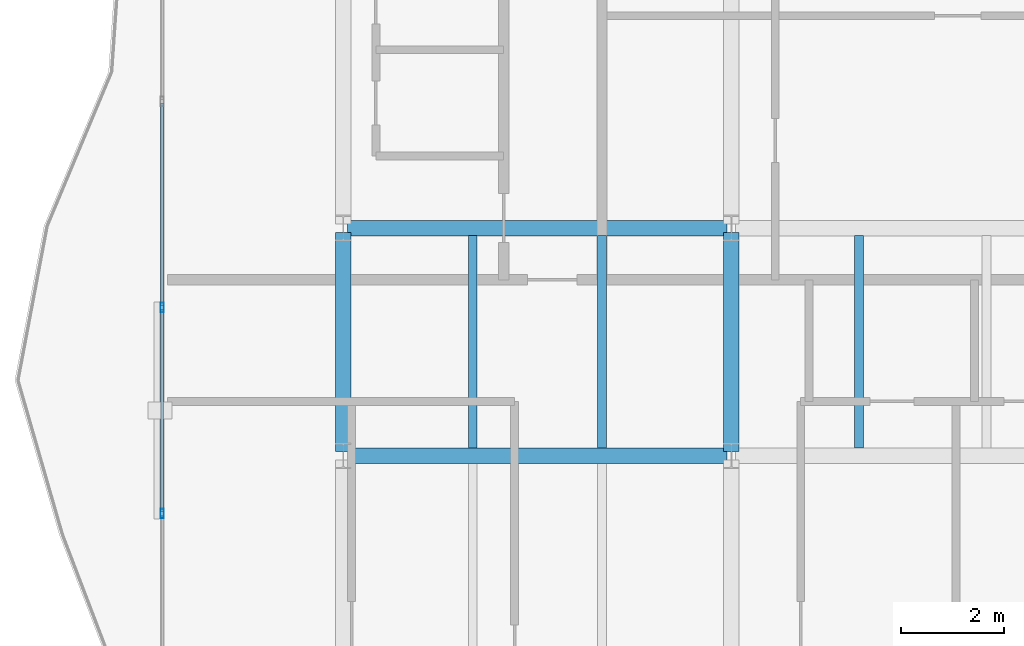
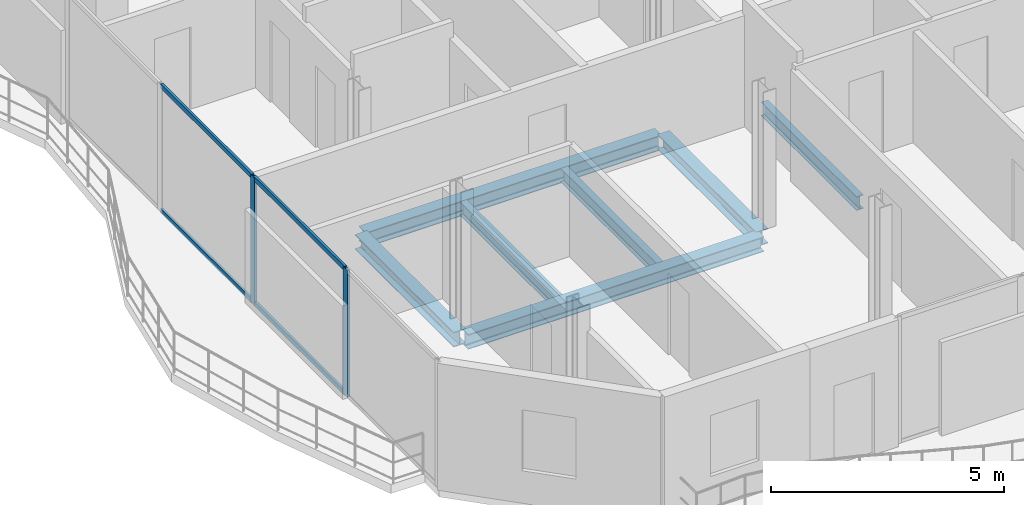
# One storey, part 5 of 23: 7 beams, 6 members, 1 element without a shape of its own.
"""IFC4 building model written with IfcOpenShell, lengths in metres."""

from ifc_helpers import new_model, si_unit, direction, frame, origin, origin_2d, place, context, subcontext, project, spatial, hollow_rectangle, i_section, extrude, material, layer, layer_set, material_profile, profile_set, type_object, element, aggregate, save


model = new_model("IFC4")

# Units and contexts
model_context = context("Model", 3, precision=1e-05, world=origin(), true_north=direction((0.0, 1.0)))
body_context = subcontext(model_context, "Body", "Model", "MODEL_VIEW")
ifc_project = project(units=[si_unit("LENGTHUNIT", "METRE"), si_unit("AREAUNIT", "SQUARE_METRE"), si_unit("VOLUMEUNIT", "CUBIC_METRE"), si_unit("PLANEANGLEUNIT", "RADIAN"), si_unit("MASSUNIT", "GRAM", prefix="KILO")], contexts=[model_context])

# Site, building, storey
site_placement = place(None, origin())
site = spatial("IfcSite", under=ifc_project, at=site_placement, CompositionType="ELEMENT")
building_placement = place(site_placement, origin())
building = spatial("IfcBuilding", under=site, at=building_placement, Name="Catumbela Crestline Tower", CompositionType="ELEMENT")
storey_placement = place(building_placement, frame((0.0, 0.0, 168.6)))
storey = spatial("IfcBuildingStorey", under=building, at=storey_placement, Name="L43", CompositionType="ELEMENT", Elevation=168.6)

# Beams
ifc_material_1 = material(Name="Structural steel S355J2", Category="steel")
ifc_material_profile_1 = material_profile(ifc_material_1, i_section(OverallWidth=0.3, OverallDepth=0.39, WebThickness=0.011, FlangeThickness=0.019, FilletRadius=0.027, at=origin_2d()), Name="HEA 400")
ifc_profile_set_1 = profile_set([ifc_material_profile_1], Name="Structural steel S355J2")
beam_type_1 = type_object("IfcBeamType", Name="BG-HEA400", PredefinedType="BEAM", material=ifc_profile_set_1)
for number, where, z_axis, x_axis, name in (
    (1, (8.58, 13.6, -0.455), (1.0, 0.0, 0.0), (0.0, 1.0, 0.0), "L43 Beam BM-L43-WEW33"),
    (2, (8.58, 18.0, -0.455), (1.0, 0.0, 0.0), (0.0, 1.0, 0.0), "L43 Beam BM-L43-WEW35"),
):
    element("IfcBeam", number, at=place(storey_placement, frame(where, z_axis=z_axis, x_axis=x_axis)), inside=storey, type_object=beam_type_1, Name=name, PredefinedType="BEAM", context=body_context, shape_type="SweptSolid", body=[
        extrude(i_section(OverallWidth=0.3, OverallDepth=0.39, WebThickness=0.011, FlangeThickness=0.019, FilletRadius=0.027, at=origin_2d()), origin(), (0.0, 0.0, 1.0), 7.34),
    ])
for number, where, z_axis, x_axis, name in (
    (3, (8.5, 13.68, -0.455), (0.0, 1.0, 0.0), (-1.0, 0.0, 0.0), "L43 Beam BM-L43-WNS38"),
    (4, (16.0, 13.68, -0.455), (0.0, 1.0, 0.0), (-1.0, 0.0, 0.0), "L43 Beam BM-L43-WNS41"),
):
    element("IfcBeam", number, at=place(storey_placement, frame(where, z_axis=z_axis, x_axis=x_axis)), inside=storey, type_object=beam_type_1, Name=name, PredefinedType="BEAM", context=body_context, shape_type="SweptSolid", body=[
        extrude(i_section(OverallWidth=0.3, OverallDepth=0.39, WebThickness=0.011, FlangeThickness=0.019, FilletRadius=0.027, at=origin_2d()), origin(), (0.0, 0.0, 1.0), 4.24),
    ])
ifc_material_profile_2 = material_profile(ifc_material_1, i_section(OverallWidth=0.17, OverallDepth=0.36, WebThickness=0.008, FlangeThickness=0.0127, FilletRadius=0.018, at=origin_2d()), Name="IPE 360")
ifc_profile_set_2 = profile_set([ifc_material_profile_2], Name="Structural steel S355J2")
beam_type_2 = type_object("IfcBeamType", Name="BJ-IPE360", PredefinedType="JOIST", material=ifc_profile_set_2)
for number, where, z_axis, x_axis, name in (
    (5, (11.0, 13.747, -0.44), (0.0, 1.0, 0.0), (-1.0, 0.0, 0.0), "L43 Joist JS-L43-WG46"),
    (6, (13.5, 13.747, -0.44), (0.0, 1.0, 0.0), (-1.0, 0.0, 0.0), "L43 Joist JS-L43-WG47"),
    (7, (18.467, 13.747, -0.44), (0.0, 1.0, 0.0), (-1.0, 0.0, 0.0), "L43 Joist JS-L43-WG48"),
):
    element("IfcBeam", number, at=place(storey_placement, frame(where, z_axis=z_axis, x_axis=x_axis)), inside=storey, type_object=beam_type_2, Name=name, PredefinedType="JOIST", context=body_context, shape_type="SweptSolid", body=[
        extrude(i_section(OverallWidth=0.17, OverallDepth=0.36, WebThickness=0.008, FlangeThickness=0.0127, FilletRadius=0.018, at=origin_2d()), origin(), (0.0, 0.0, 1.0), 4.106),
    ])

# Curtain wall, members
ifc_material_2 = material(Name="Aluminium alloy AW-6060-T66", Category="aluminium")
ifc_layer = layer(ifc_material_2, 0.18, Name="Aluminium alloy AW-6060-T66")
ifc_layer_set = layer_set([ifc_layer], Name="Aluminium alloy AW-6060-T66")
curtain_wall_type = type_object("IfcCurtainWallType", Name="CWU-Z3", PredefinedType="USERDEFINED", material=ifc_layer_set)
curtain_wall_placement = place(storey_placement, origin())
curtain_wall = element("IfcCurtainWall", 8, at=curtain_wall_placement, inside=storey, type_object=curtain_wall_type, Name="L43 Unitised Curtain Wall CW-L43-E9S2", ObjectType="UNITISED", PredefinedType="USERDEFINED")
ifc_material_profile_3 = material_profile(ifc_material_2, hollow_rectangle(XDim=0.065, YDim=0.18, WallThickness=0.004, at=origin_2d()), Name="ALU 180x65x4")
ifc_profile_set_3 = profile_set([ifc_material_profile_3], Name="Aluminium alloy AW-6060-T66")
member_type_1 = type_object("IfcMemberType", Name="MUL-180X65", PredefinedType="MULLION", material=ifc_profile_set_3)
member_1_placement = place(storey_placement, frame((5.0, 16.4667, 0.0), z_axis=(0.0, 0.0, 1.0), x_axis=(1.0, 0.0, 0.0)))
member_1 = element("IfcMember", 9, at=member_1_placement, type_object=member_type_1, Name="CWU-Z3 mullion 5", PredefinedType="MULLION", context=body_context, shape_type="SweptSolid", body=[
    extrude(hollow_rectangle(XDim=0.065, YDim=0.18, WallThickness=0.004, at=origin_2d()), origin(), (0.0, 0.0, 1.0), 3.33),
])
member_2_placement = place(storey_placement, frame((5.0, 12.4833, 0.0), z_axis=(0.0, 0.0, 1.0), x_axis=(1.0, 0.0, 0.0)))
member_2 = element("IfcMember", 10, at=member_2_placement, type_object=member_type_1, Name="CWU-Z3 mullion 6", PredefinedType="MULLION", context=body_context, shape_type="SweptSolid", body=[
    extrude(hollow_rectangle(XDim=0.065, YDim=0.18, WallThickness=0.004, at=origin_2d()), origin(), (0.0, 0.0, 1.0), 3.33),
])
ifc_material_profile_4 = material_profile(ifc_material_2, hollow_rectangle(XDim=0.06, YDim=0.12, WallThickness=0.0035, at=origin_2d()), Name="ALU 120x60x3.5")
ifc_profile_set_4 = profile_set([ifc_material_profile_4], Name="Aluminium alloy AW-6060-T66")
member_type_2 = type_object("IfcMemberType", Name="TRN-120X60", PredefinedType="USERDEFINED", material=ifc_profile_set_4)
member_3_placement = place(storey_placement, frame((5.0, 20.4175, 0.03), z_axis=(0.0, -1.0, 0.0), x_axis=(1.0, 0.0, 0.0)))
member_3 = element("IfcMember", 11, at=member_3_placement, type_object=member_type_2, Name="CWU-Z3 transom 4.1", ObjectType="TRANSOM", PredefinedType="USERDEFINED", context=body_context, shape_type="SweptSolid", body=[
    extrude(hollow_rectangle(XDim=0.06, YDim=0.12, WallThickness=0.0035, at=origin_2d()), origin(), (0.0, 0.0, 1.0), 3.9183),
])
member_4_placement = place(storey_placement, frame((5.0, 20.4175, 3.3), z_axis=(0.0, -1.0, 0.0), x_axis=(1.0, 0.0, 0.0)))
member_4 = element("IfcMember", 12, at=member_4_placement, type_object=member_type_2, Name="CWU-Z3 transom 4.2", ObjectType="TRANSOM", PredefinedType="USERDEFINED", context=body_context, shape_type="SweptSolid", body=[
    extrude(hollow_rectangle(XDim=0.06, YDim=0.12, WallThickness=0.0035, at=origin_2d()), origin(), (0.0, 0.0, 1.0), 3.9183),
])
member_5_placement = place(storey_placement, frame((5.0, 16.4342, 0.03), z_axis=(0.0, -1.0, 0.0), x_axis=(1.0, 0.0, 0.0)))
member_5 = element("IfcMember", 13, at=member_5_placement, type_object=member_type_2, Name="CWU-Z3 transom 5.1", ObjectType="TRANSOM", PredefinedType="USERDEFINED", context=body_context, shape_type="SweptSolid", body=[
    extrude(hollow_rectangle(XDim=0.06, YDim=0.12, WallThickness=0.0035, at=origin_2d()), origin(), (0.0, 0.0, 1.0), 3.9184),
])
member_6_placement = place(storey_placement, frame((5.0, 16.4342, 3.3), z_axis=(0.0, -1.0, 0.0), x_axis=(1.0, 0.0, 0.0)))
member_6 = element("IfcMember", 14, at=member_6_placement, type_object=member_type_2, Name="CWU-Z3 transom 5.2", ObjectType="TRANSOM", PredefinedType="USERDEFINED", context=body_context, shape_type="SweptSolid", body=[
    extrude(hollow_rectangle(XDim=0.06, YDim=0.12, WallThickness=0.0035, at=origin_2d()), origin(), (0.0, 0.0, 1.0), 3.9184),
])
aggregate(curtain_wall, [member_1, member_2, member_3, member_4, member_5, member_6])

save(model, "model.ifc")
